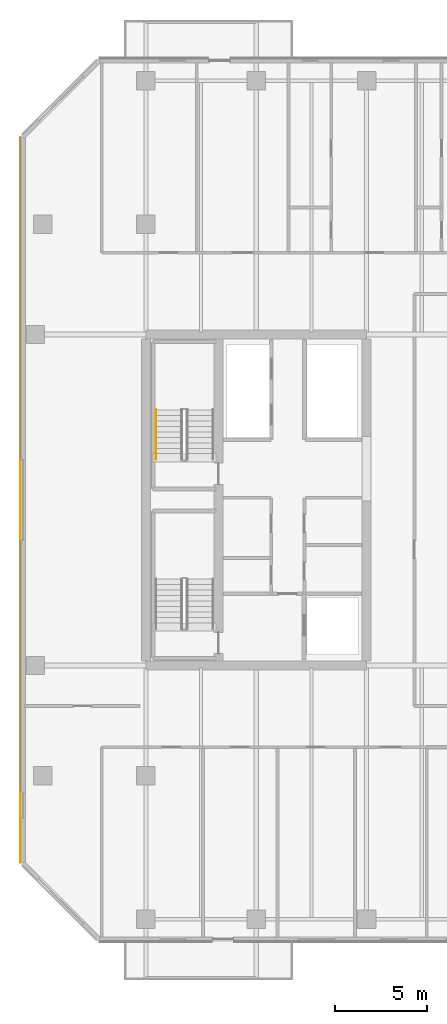
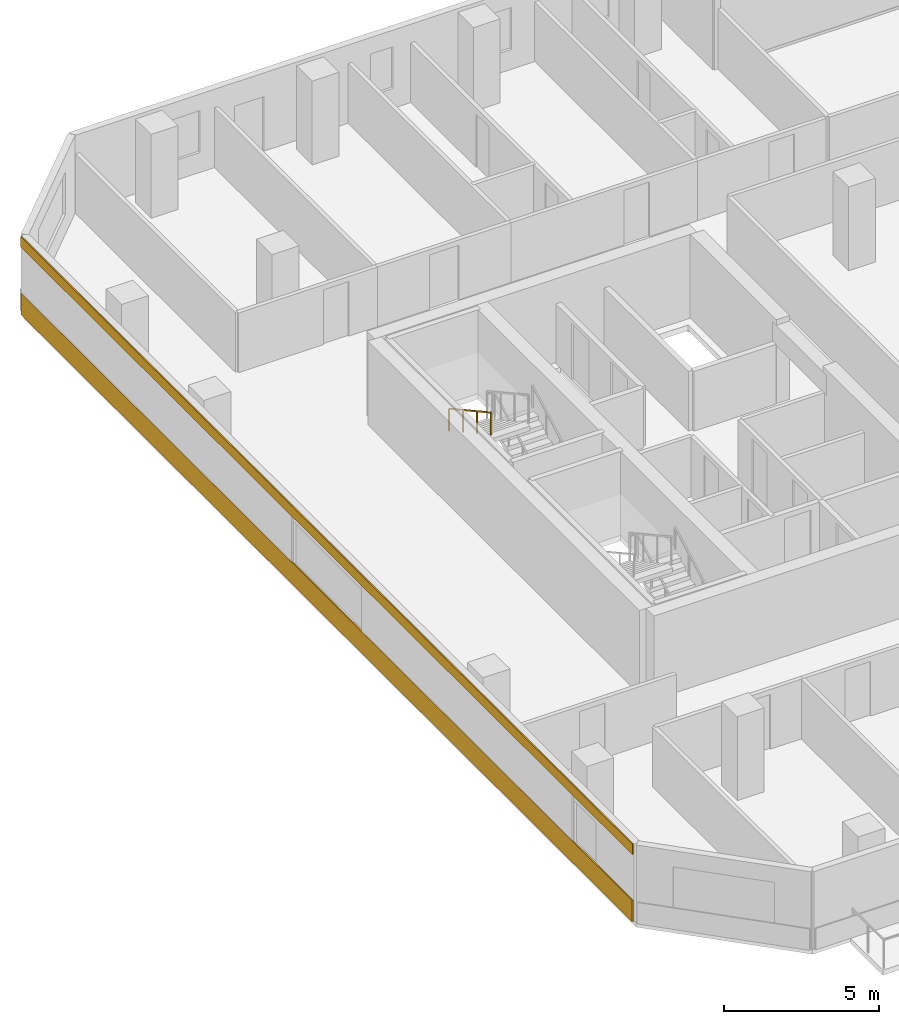
# One storey, part 19 of 23: 2 coverings, 1 railing.
"""IFC4 building model written with IfcOpenShell, lengths in metres."""

from ifc_helpers import new_model, si_unit, direction, frame, origin, origin_2d, place, context, subcontext, project, spatial, rectangle, extrude, material, layer, layer_set, type_object, element, save


model = new_model("IFC4")

# Units and contexts
model_context = context("Model", 3, precision=1e-05, world=origin(), true_north=direction((0.0, 1.0)))
body_context = subcontext(model_context, "Body", "Model", "MODEL_VIEW")
ifc_project = project(units=[si_unit("LENGTHUNIT", "METRE"), si_unit("AREAUNIT", "SQUARE_METRE"), si_unit("VOLUMEUNIT", "CUBIC_METRE"), si_unit("PLANEANGLEUNIT", "RADIAN"), si_unit("MASSUNIT", "GRAM", prefix="KILO")], contexts=[model_context])

# Site, building, storey
site_placement = place(None, origin())
site = spatial("IfcSite", under=ifc_project, at=site_placement, CompositionType="ELEMENT")
building_placement = place(site_placement, origin())
building = spatial("IfcBuilding", under=site, at=building_placement, Name="Tanjung Sevakor Pilgrim Tower", CompositionType="ELEMENT")
storey_placement = place(building_placement, frame((0.0, 0.0, 98.669921875)))
storey = spatial("IfcBuildingStorey", under=building, at=storey_placement, Name="L27", CompositionType="ELEMENT", Elevation=98.669921875)

# Coverings
ifc_material_1 = material(Name="Reconstructed Limestone Cladding", Category="masonry")
ifc_layer = layer(ifc_material_1, 0.044921875)
ifc_layer_set = layer_set([ifc_layer], Name="COV-CLAD-LIMESTONE")
covering_type = type_object("IfcCoveringType", Name="COV-CLAD-LIMESTONE", PredefinedType="CLADDING", material=ifc_layer_set)
covering_1_placement = place(storey_placement, frame((17.177490234375, 33.60009765625, 0.01025390625), z_axis=(0.0, 0.0, 1.0), x_axis=(0.0, -1.0, 0.0)))
element("IfcCovering", 1, at=covering_1_placement, inside=storey, type_object=covering_type, Name="L27 Warm Limestone Sill Spandrel EW-L27-MAIN-15-1", PredefinedType="CLADDING", context=body_context, shape_type="SweptSolid", body=[
    extrude(rectangle(XDim=39.41650390625, YDim=0.044921875, at=origin_2d()), origin(), (0.0, 0.0, 1.0), 0.840087890625),
])
covering_2_placement = place(storey_placement, frame((17.177490234375, 33.60009765625, 2.66015625), z_axis=(0.0, 0.0, 1.0), x_axis=(0.0, -1.0, 0.0)))
element("IfcCovering", 2, at=covering_2_placement, inside=storey, type_object=covering_type, Name="L27 Warm Limestone Cornice Spandrel EW-L27-MAIN-15", PredefinedType="CLADDING", context=body_context, shape_type="SweptSolid", body=[
    extrude(rectangle(XDim=39.456298828125, YDim=0.044921875, at=origin_2d()), origin(), (0.0, 0.0, 1.0), 0.409912109375),
])

# Railing
ifc_material_2 = material(Name="Steel S355J2", Category="steel")
railing_type = type_object("IfcRailingType", Name="RL-STAIR-HAND", PredefinedType="HANDRAIL", material=ifc_material_2)
railing_placement = place(storey_placement, frame((24.550048828125, 38.5, 1.815185546875)))
element("IfcRailing", 3, at=railing_placement, inside=storey, type_object=railing_type, Name="L27 TS-W2 stair handrail 2", PredefinedType="HANDRAIL", context=body_context, shape_type="SweptSolid", body=[
    extrude(rectangle(XDim=0.0479, YDim=0.0479), frame((0.0, 0.0, 0.8759765625), z_axis=(0.0, -0.876230963923, 0.481891375584), x_axis=(1.0, 0.0, 0.0)), (0.0, 0.0, 1.0), 3.081298828125),
    extrude(rectangle(XDim=0.042, YDim=0.042), origin(), (0.0, 0.0, 1.0), 0.851806640625),
    extrude(rectangle(XDim=0.042, YDim=0.042), frame((0.0, -0.89990234375, 0.494873046875)), (0.0, 0.0, 1.0), 0.851806640625),
    extrude(rectangle(XDim=0.042, YDim=0.042), frame((0.0, -1.800048828125, 0.989990234375)), (0.0, 0.0, 1.0), 0.851806640625),
    extrude(rectangle(XDim=0.042, YDim=0.042), frame((0.0, -2.699951171875, 1.48486328125)), (0.0, 0.0, 1.0), 0.851806640625),
])

save(model, "model.ifc")
